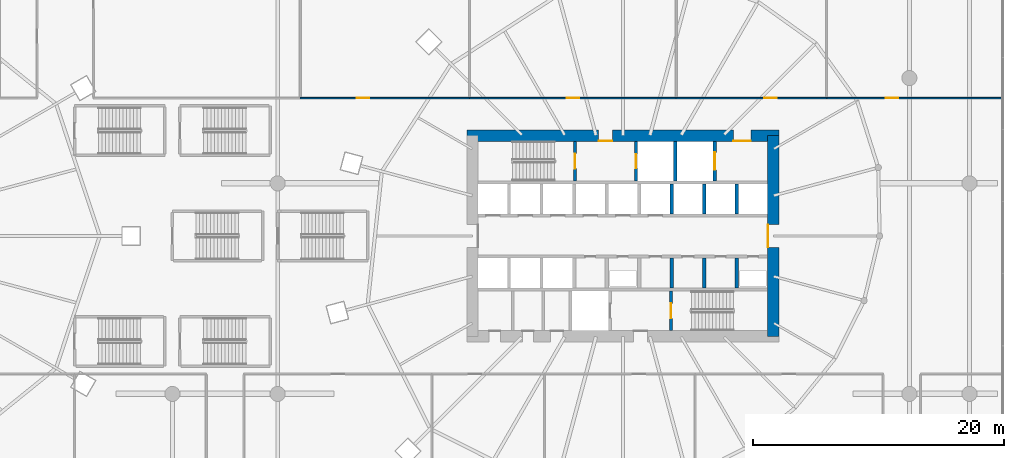
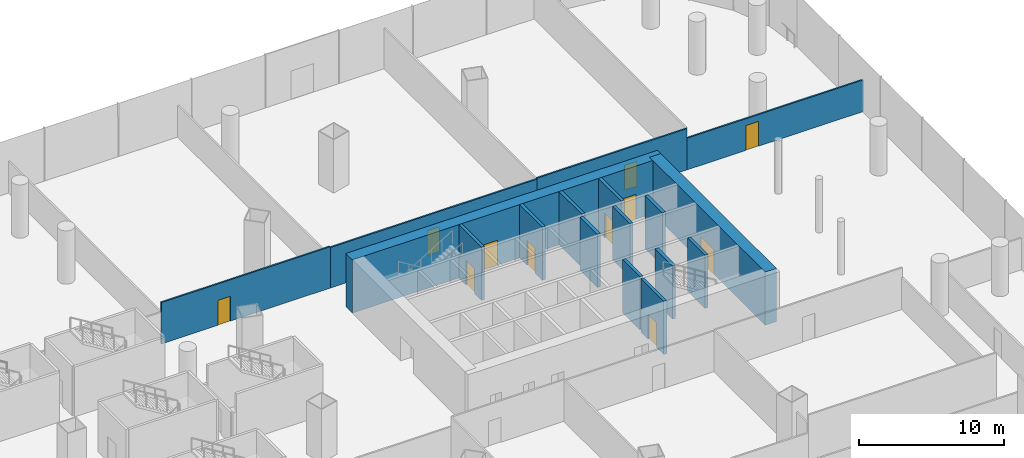
# One storey, part 33 of 43: 17 walls, 11 doors, 11 openings.
"""IFC4 building model written with IfcOpenShell, lengths in metres."""

from ifc_helpers import new_model, si_unit, direction, frame, frame_2d, origin, place, context, subcontext, project, spatial, rectangle, extrude, material, layer, layer_set, type_object, element, fill, save


model = new_model("IFC4")

# Units and contexts
model_context = context("Model", 3, precision=1e-05, world=origin(), true_north=direction((0.0, 1.0)))
body_context = subcontext(model_context, "Body", "Model", "MODEL_VIEW")
ifc_project = project(units=[si_unit("LENGTHUNIT", "METRE"), si_unit("AREAUNIT", "SQUARE_METRE"), si_unit("VOLUMEUNIT", "CUBIC_METRE"), si_unit("PLANEANGLEUNIT", "RADIAN"), si_unit("MASSUNIT", "GRAM", prefix="KILO")], contexts=[model_context])

# Site, building, storey
site_placement = place(None, origin())
site = spatial("IfcSite", under=ifc_project, at=site_placement, CompositionType="ELEMENT")
building_placement = place(site_placement, origin())
building = spatial("IfcBuilding", under=site, at=building_placement, Name="Rimbun Link Towers", CompositionType="ELEMENT")
storey_placement = place(building_placement, frame((0.0, 0.0, 12.0)))
storey = spatial("IfcBuildingStorey", under=building, at=storey_placement, Name="L02", CompositionType="ELEMENT", Elevation=12.0)

# Wall, openings, doors
ifc_material_1 = material(Name="Concrete C60/75", Category="concrete")
ifc_layer_1 = layer(ifc_material_1, 0.89990234375)
ifc_layer_set_1 = layer_set([ifc_layer_1], Name="Core shear wall 900")
wall_type_1 = type_object("IfcWallType", Name="Core shear wall 900", PredefinedType="SHEAR", material=ifc_layer_set_1)
wall_1_placement = place(storey_placement, frame((19.300048828125, 8.0, 0.0), z_axis=(0.0, 0.0, 1.0), x_axis=(1.0, 0.0, 0.0)))
wall_1 = element("IfcWall", 1, at=wall_1_placement, inside=storey, type_object=wall_type_1, Name="L02 T2 core wall N", PredefinedType="SHEAR", context=body_context, shape_type="SweptSolid", body=[
    extrude(rectangle(XDim=24.89990234375, YDim=0.89990234375, at=frame_2d((12.449951171875, 0.0))), origin(), (0.0, 0.0, 1.0), 4.5),
])
opening_1_placement = place(wall_1_placement, frame((10.5, 0.0, 0.0)))
opening_1 = element("IfcOpeningElement", 2, at=opening_1_placement, cuts=wall_1, Name="Opening C2DCF01N", PredefinedType="OPENING", context=body_context, shape_type="SweptSolid", body=[
    extrude(rectangle(XDim=1.10009765625, YDim=2.10009765625, at=frame_2d((0.550048828125, 1.050048828125))), frame((0.0, 0.4599609375, 0.0), z_axis=(0.0, -1.0, 0.0), x_axis=(1.0, 0.0, 0.0)), (0.0, 0.0, 1.0), 0.919921875),
])
opening_2_placement = place(wall_1_placement, frame((21.25, 0.0, 0.0)))
opening_2 = element("IfcOpeningElement", 3, at=opening_2_placement, cuts=wall_1, Name="Opening C2DSL02N", PredefinedType="OPENING", context=body_context, shape_type="SweptSolid", body=[
    extrude(rectangle(XDim=1.39990234375, YDim=2.10009765625, at=frame_2d((0.699951171875, 1.050048828125))), frame((0.0, 0.4599609375, 0.0), z_axis=(0.0, -1.0, 0.0), x_axis=(1.0, 0.0, 0.0)), (0.0, 0.0, 1.0), 0.919921875),
])
ifc_material_2 = material(Name="Steel fire door set", Category="steel")
door_type_1 = type_object("IfcDoorType", Name="Core fire door single", OperationType="SINGLE_SWING_LEFT", PredefinedType="DOOR", material=ifc_material_2)
door_1_placement = place(opening_1_placement, origin())
door_1 = element("IfcDoor", 4, at=door_1_placement, inside=storey, type_object=door_type_1, Name="L02 T2 firefighting lobby n door", OperationType="SINGLE_SWING_RIGHT", OverallHeight=2.10009765625, OverallWidth=1.10009765625, PredefinedType="DOOR", context=body_context, shape_type="SweptSolid", body=[
    extrude(rectangle(XDim=1.10009765625, YDim=2.10009765625, at=frame_2d((0.550048828125, 1.050048828125))), frame((0.0, -0.39990234375, 0.0), z_axis=(0.0, -1.0, 0.0), x_axis=(1.0, 0.0, 0.0)), (0.0, 0.0, 1.0), 0.050048828125),
])
fill(opening_1, door_1)
ifc_material_3 = material(Name="Steel fire door set", Category="steel")
door_type_2 = type_object("IfcDoorType", Name="Service lobby door double", OperationType="DOUBLE_DOOR_SINGLE_SWING", PredefinedType="DOOR", material=ifc_material_3)
door_2_placement = place(opening_2_placement, origin())
door_2 = element("IfcDoor", 5, at=door_2_placement, inside=storey, type_object=door_type_2, Name="L02 T2 service lobby door", OperationType="DOUBLE_DOOR_SINGLE_SWING", OverallHeight=2.10009765625, OverallWidth=1.39990234375, PredefinedType="DOOR", context=body_context, shape_type="SweptSolid", body=[
    extrude(rectangle(XDim=1.39990234375, YDim=2.10009765625, at=frame_2d((0.699951171875, 1.050048828125))), frame((0.0, -0.39990234375, 0.0), z_axis=(0.0, -1.0, 0.0), x_axis=(1.0, 0.0, 0.0)), (0.0, 0.0, 1.0), 0.050048828125),
])
fill(opening_2, door_2)

# Wall, opening, door
wall_2_placement = place(storey_placement, frame((43.75, -8.0, 0.0), z_axis=(0.0, 0.0, 1.0), x_axis=(0.0, 1.0, 0.0)))
wall_2 = element("IfcWall", 6, at=wall_2_placement, inside=storey, type_object=wall_type_1, Name="L02 T2 core wall E", PredefinedType="SHEAR", context=body_context, shape_type="SweptSolid", body=[
    extrude(rectangle(XDim=16.0, YDim=0.89990234375, at=frame_2d((8.0, 0.0))), origin(), (0.0, 0.0, 1.0), 4.5),
])
opening_3_placement = place(wall_2_placement, frame((7.10009765625, 0.0, 0.0)))
opening_3 = element("IfcOpeningElement", 7, at=opening_3_placement, cuts=wall_2, Name="Opening C2DCL01E", PredefinedType="OPENING", context=body_context, shape_type="SweptSolid", body=[
    extrude(rectangle(XDim=1.800048828125, YDim=2.10009765625, at=frame_2d((0.89990234375, 1.050048828125))), frame((0.0, 0.4599609375, 0.0), z_axis=(0.0, -1.0, 0.0), x_axis=(1.0, 0.0, 0.0)), (0.0, 0.0, 1.0), 0.919921875),
])
ifc_material_4 = material(Name="Steel fire door set", Category="steel")
door_type_3 = type_object("IfcDoorType", Name="Core lobby door double", OperationType="DOUBLE_DOOR_SINGLE_SWING", PredefinedType="DOOR", material=ifc_material_4)
door_3_placement = place(opening_3_placement, origin())
door_3 = element("IfcDoor", 8, at=door_3_placement, inside=storey, type_object=door_type_3, Name="L02 T2 lift lobby door", OperationType="DOUBLE_DOOR_SINGLE_SWING", OverallHeight=2.10009765625, OverallWidth=1.800048828125, PredefinedType="DOOR", context=body_context, shape_type="SweptSolid", body=[
    extrude(rectangle(XDim=1.800048828125, YDim=2.10009765625, at=frame_2d((0.89990234375, 1.050048828125))), frame((0.0, 0.4501953125, 0.0), z_axis=(0.0, -1.0, 0.0), x_axis=(1.0, 0.0, 0.0)), (0.0, 0.0, 1.0), 0.050048828125),
])
fill(opening_3, door_3)

ifc_material_5 = material(Name="Gypsum board on steel studs", Category="steel")
ifc_layer_2 = layer(ifc_material_5, 0.125)
ifc_layer_set_2 = layer_set([ifc_layer_2], Name="Partition 125 board on studs")
wall_type_2 = type_object("IfcWallType", Name="Partition 125 board on studs", PredefinedType="PARTITIONING", material=ifc_layer_set_2)
wall_3_placement = place(storey_placement, frame((19.5, 11.0, 0.0), z_axis=(0.0, 0.0, 1.0), x_axis=(-1.0, 0.0, 0.0)))
wall_3 = element("IfcWall", 9, at=wall_3_placement, inside=storey, type_object=wall_type_2, Name="PD/PW/L02/042", PredefinedType="PARTITIONING", context=body_context, shape_type="SweptSolid", body=[
    extrude(rectangle(XDim=13.5, YDim=0.125, at=frame_2d((6.75, 0.0))), origin(), (0.0, 0.0, 1.0), 3.49609375),
])
opening_4_placement = place(wall_3_placement, frame((7.989990234375, 0.0, 0.0)))
opening_4 = element("IfcOpeningElement", 10, at=opening_4_placement, cuts=wall_3, Name="Opening PD D02.30", PredefinedType="OPENING", context=body_context, shape_type="SweptSolid", body=[
    extrude(rectangle(XDim=1.0, YDim=2.10009765625, at=frame_2d((0.5, 1.050048828125))), frame((0.0, 0.072509765625, 0.0), z_axis=(0.0, -1.0, 0.0), x_axis=(1.0, 0.0, 0.0)), (0.0, 0.0, 1.0), 0.14501953125),
])
ifc_material_6 = material(Name="Timber door set", Category="wood")
door_type_4 = type_object("IfcDoorType", Name="Door single leaf 1000 x 2100", OperationType="NOTDEFINED", PredefinedType="DOOR", material=ifc_material_6)
door_4_placement = place(opening_4_placement, origin())
door_4 = element("IfcDoor", 11, at=door_4_placement, inside=storey, type_object=door_type_4, Name="PD/DR/L02/030", OperationType="SINGLE_SWING_LEFT", OverallHeight=2.10009765625, OverallWidth=1.0, PredefinedType="DOOR", context=body_context, shape_type="SweptSolid", body=[
    extrude(rectangle(XDim=1.0, YDim=2.10009765625, at=frame_2d((0.5, 1.050048828125))), frame((0.0, 0.02490234375, 0.0), z_axis=(0.0, -1.0, 0.0), x_axis=(1.0, 0.0, 0.0)), (0.0, 0.0, 1.0), 0.050048828125),
])
fill(opening_4, door_4)

wall_4_placement = place(storey_placement, frame((36.0, 11.0, 0.0), z_axis=(0.0, 0.0, 1.0), x_axis=(-1.0, 0.0, 0.0)))
wall_4 = element("IfcWall", 12, at=wall_4_placement, inside=storey, type_object=wall_type_2, Name="PD/PW/L02/043", PredefinedType="PARTITIONING", context=body_context, shape_type="SweptSolid", body=[
    extrude(rectangle(XDim=16.5, YDim=0.125, at=frame_2d((8.25, 0.0))), origin(), (0.0, 0.0, 1.0), 3.41796875),
])
opening_5_placement = place(wall_4_placement, frame((7.75, 0.0, 0.0)))
opening_5 = element("IfcOpeningElement", 13, at=opening_5_placement, cuts=wall_4, Name="Opening PD D02.31", PredefinedType="OPENING", context=body_context, shape_type="SweptSolid", body=[
    extrude(rectangle(XDim=1.0, YDim=2.10009765625, at=frame_2d((0.5, 1.050048828125))), frame((0.0, 0.072509765625, 0.0), z_axis=(0.0, -1.0, 0.0), x_axis=(1.0, 0.0, 0.0)), (0.0, 0.0, 1.0), 0.14501953125),
])
door_5_placement = place(opening_5_placement, origin())
door_5 = element("IfcDoor", 14, at=door_5_placement, inside=storey, type_object=door_type_4, Name="PD/DR/L02/031", OperationType="SINGLE_SWING_RIGHT", OverallHeight=2.10009765625, OverallWidth=1.0, PredefinedType="DOOR", context=body_context, shape_type="SweptSolid", body=[
    extrude(rectangle(XDim=1.0, YDim=2.10009765625, at=frame_2d((0.5, 1.050048828125))), frame((0.0, 0.02490234375, 0.0), z_axis=(0.0, -1.0, 0.0), x_axis=(1.0, 0.0, 0.0)), (0.0, 0.0, 1.0), 0.050048828125),
])
fill(opening_5, door_5)

wall_5_placement = place(storey_placement, frame((48.0, 11.0, 0.0), z_axis=(0.0, 0.0, 1.0), x_axis=(-1.0, 0.0, 0.0)))
wall_5 = element("IfcWall", 15, at=wall_5_placement, inside=storey, type_object=wall_type_2, Name="PD/PW/L02/044", PredefinedType="PARTITIONING", context=body_context, shape_type="SweptSolid", body=[
    extrude(rectangle(XDim=12.0, YDim=0.125, at=frame_2d((6.0, 0.0))), origin(), (0.0, 0.0, 1.0), 3.49609375),
])
opening_6_placement = place(wall_5_placement, frame((3.985107421875, 0.0, 0.0)))
opening_6 = element("IfcOpeningElement", 16, at=opening_6_placement, cuts=wall_5, Name="Opening PD D02.32", PredefinedType="OPENING", context=body_context, shape_type="SweptSolid", body=[
    extrude(rectangle(XDim=1.0, YDim=2.10009765625, at=frame_2d((0.5, 1.050048828125))), frame((0.0, 0.072509765625, 0.0), z_axis=(0.0, -1.0, 0.0), x_axis=(1.0, 0.0, 0.0)), (0.0, 0.0, 1.0), 0.14501953125),
])
door_6_placement = place(opening_6_placement, origin())
door_6 = element("IfcDoor", 17, at=door_6_placement, inside=storey, type_object=door_type_4, Name="PD/DR/L02/032", OperationType="SINGLE_SWING_LEFT", OverallHeight=2.10009765625, OverallWidth=1.0, PredefinedType="DOOR", context=body_context, shape_type="SweptSolid", body=[
    extrude(rectangle(XDim=1.0, YDim=2.10009765625, at=frame_2d((0.5, 1.050048828125))), frame((0.0, 0.02490234375, 0.0), z_axis=(0.0, -1.0, 0.0), x_axis=(1.0, 0.0, 0.0)), (0.0, 0.0, 1.0), 0.050048828125),
])
fill(opening_6, door_6)

wall_6_placement = place(storey_placement, frame((62.080078125, 11.0, 0.0), z_axis=(0.0, 0.0, 1.0), x_axis=(-1.0, 0.0, 0.0)))
wall_6 = element("IfcWall", 18, at=wall_6_placement, inside=storey, type_object=wall_type_2, Name="PD/PW/L02/045", PredefinedType="PARTITIONING", context=body_context, shape_type="SweptSolid", body=[
    extrude(rectangle(XDim=14.080078125, YDim=0.125, at=frame_2d((7.0400390625, 0.0))), origin(), (0.0, 0.0, 1.0), 2.679931640625),
])
opening_7_placement = place(wall_6_placement, frame((8.366943359375, 0.0, 0.0)))
opening_7 = element("IfcOpeningElement", 19, at=opening_7_placement, cuts=wall_6, Name="Opening PD D02.33", PredefinedType="OPENING", context=body_context, shape_type="SweptSolid", body=[
    extrude(rectangle(XDim=1.0, YDim=2.10009765625, at=frame_2d((0.5, 1.050048828125))), frame((0.0, 0.072509765625, 0.0), z_axis=(0.0, -1.0, 0.0), x_axis=(1.0, 0.0, 0.0)), (0.0, 0.0, 1.0), 0.14501953125),
])
door_7_placement = place(opening_7_placement, origin())
door_7 = element("IfcDoor", 20, at=door_7_placement, inside=storey, type_object=door_type_4, Name="PD/DR/L02/033", OperationType="SINGLE_SWING_RIGHT", OverallHeight=2.10009765625, OverallWidth=1.0, PredefinedType="DOOR", context=body_context, shape_type="SweptSolid", body=[
    extrude(rectangle(XDim=1.0, YDim=2.10009765625, at=frame_2d((0.5, 1.050048828125))), frame((0.0, 0.02490234375, 0.0), z_axis=(0.0, -1.0, 0.0), x_axis=(1.0, 0.0, 0.0)), (0.0, 0.0, 1.0), 0.050048828125),
])
fill(opening_7, door_7)

# Walls
ifc_material_7 = material(Name="Concrete C60/75", Category="concrete")
ifc_layer_3 = layer(ifc_material_7, 0.25)
ifc_layer_set_3 = layer_set([ifc_layer_3], Name="Shaft wall 250")
wall_type_3 = type_object("IfcWallType", Name="Shaft wall 250", PredefinedType="SHEAR", material=ifc_layer_set_3)
for number, where, z_axis, x_axis, name in (
    (21, (35.6416015625, 1.75, 0.0), (0.0, 0.0, 1.0), (0.0, 1.0, 0.0), "L02 T2 core wall DN5"),
    (22, (38.236083984375, 1.75, 0.0), (0.0, 0.0, 1.0), (0.0, 1.0, 0.0), "L02 T2 core wall DN6"),
    (23, (40.83056640625, 1.75, 0.0), (0.0, 0.0, 1.0), (0.0, 1.0, 0.0), "L02 T2 core wall DN7"),
    (24, (35.6416015625, -4.14990234375, 0.0), (0.0, 0.0, 1.0), (0.0, 1.0, 0.0), "L02 T2 core wall DS5"),
    (25, (38.236083984375, -4.14990234375, 0.0), (0.0, 0.0, 1.0), (0.0, 1.0, 0.0), "L02 T2 core wall DS6"),
    (26, (40.83056640625, -4.14990234375, 0.0), (0.0, 0.0, 1.0), (0.0, 1.0, 0.0), "L02 T2 core wall DS7"),
):
    element("IfcWall", number, at=place(storey_placement, frame(where, z_axis=z_axis, x_axis=x_axis)), inside=storey, type_object=wall_type_3, Name=name, PredefinedType="SHEAR", context=body_context, shape_type="SweptSolid", body=[
        extrude(rectangle(XDim=2.39990234375, YDim=0.25, at=frame_2d((1.199951171875, 0.0))), origin(), (0.0, 0.0, 1.0), 4.5),
    ])

# Wall, opening, door
wall_7_placement = place(storey_placement, frame((27.925048828125, 4.39990234375, 0.0), z_axis=(0.0, 0.0, 1.0), x_axis=(0.0, 1.0, 0.0)))
wall_7 = element("IfcWall", 27, at=wall_7_placement, inside=storey, type_object=wall_type_3, Name="L02 T2 core wall A1", PredefinedType="SHEAR", context=body_context, shape_type="SweptSolid", body=[
    extrude(rectangle(XDim=3.150146484375, YDim=0.25, at=frame_2d((1.5751953125, 0.0))), origin(), (0.0, 0.0, 1.0), 4.5),
])
opening_8_placement = place(wall_7_placement, frame((0.97509765625, 0.0, 0.0)))
opening_8 = element("IfcOpeningElement", 28, at=opening_8_placement, cuts=wall_7, Name="Opening C2DST01A1", PredefinedType="OPENING", context=body_context, shape_type="SweptSolid", body=[
    extrude(rectangle(XDim=1.199951171875, YDim=2.10009765625, at=frame_2d((0.60009765625, 1.050048828125))), frame((0.0, 0.135009765625, 0.0), z_axis=(0.0, -1.0, 0.0), x_axis=(1.0, 0.0, 0.0)), (0.0, 0.0, 1.0), 0.27001953125),
])
ifc_material_8 = material(Name="Steel fire door set", Category="steel")
door_type_5 = type_object("IfcDoorType", Name="Stair door", OperationType="SINGLE_SWING_LEFT", PredefinedType="DOOR", material=ifc_material_8)
door_8_placement = place(opening_8_placement, origin())
door_8 = element("IfcDoor", 29, at=door_8_placement, inside=storey, type_object=door_type_5, Name="L02 T2 stair a door", OperationType="SINGLE_SWING_LEFT", OverallHeight=2.10009765625, OverallWidth=1.199951171875, PredefinedType="DOOR", context=body_context, shape_type="SweptSolid", body=[
    extrude(rectangle(XDim=1.199951171875, YDim=2.10009765625, at=frame_2d((0.60009765625, 1.050048828125))), frame((0.0, 0.02490234375, 0.0), z_axis=(0.0, -1.0, 0.0), x_axis=(1.0, 0.0, 0.0)), (0.0, 0.0, 1.0), 0.050048828125),
])
fill(opening_8, door_8)

wall_8_placement = place(storey_placement, frame((32.77490234375, 4.39990234375, 0.0), z_axis=(0.0, 0.0, 1.0), x_axis=(0.0, 1.0, 0.0)))
wall_8 = element("IfcWall", 30, at=wall_8_placement, inside=storey, type_object=wall_type_3, Name="L02 T2 core wall A2", PredefinedType="SHEAR", context=body_context, shape_type="SweptSolid", body=[
    extrude(rectangle(XDim=3.150146484375, YDim=0.25, at=frame_2d((1.5751953125, 0.0))), origin(), (0.0, 0.0, 1.0), 4.5),
])
opening_9_placement = place(wall_8_placement, frame((1.02490234375, 0.0, 0.0)))
opening_9 = element("IfcOpeningElement", 31, at=opening_9_placement, cuts=wall_8, Name="Opening LD-T2-FF1", PredefinedType="OPENING", context=body_context, shape_type="SweptSolid", body=[
    extrude(rectangle(XDim=1.10009765625, YDim=2.10009765625, at=frame_2d((0.550048828125, 1.050048828125))), frame((0.0, 0.135009765625, 0.0), z_axis=(0.0, -1.0, 0.0), x_axis=(1.0, 0.0, 0.0)), (0.0, 0.0, 1.0), 0.27001953125),
])
ifc_material_9 = material(Name="Stainless steel grade 316", Category="steel")
door_type_6 = type_object("IfcDoorType", Name="Lift landing door", OperationType="DOUBLE_DOOR_SLIDING", PredefinedType="DOOR", material=ifc_material_9)
door_9_placement = place(opening_9_placement, origin())
door_9 = element("IfcDoor", 32, at=door_9_placement, inside=storey, type_object=door_type_6, Name="L02 T2 lift FF1 landing door", OperationType="DOUBLE_DOOR_SLIDING", OverallHeight=2.10009765625, OverallWidth=1.10009765625, PredefinedType="DOOR", context=body_context, shape_type="SweptSolid", body=[
    extrude(rectangle(XDim=1.10009765625, YDim=2.10009765625, at=frame_2d((0.550048828125, 1.050048828125))), frame((0.0, 0.02490234375, 0.0), z_axis=(0.0, -1.0, 0.0), x_axis=(1.0, 0.0, 0.0)), (0.0, 0.0, 1.0), 0.050048828125),
])
fill(opening_9, door_9)

# Wall
wall_9_placement = place(storey_placement, frame((35.925048828125, 4.39990234375, 0.0), z_axis=(0.0, 0.0, 1.0), x_axis=(0.0, 1.0, 0.0)))
element("IfcWall", 33, at=wall_9_placement, inside=storey, type_object=wall_type_3, Name="L02 T2 core wall A3", PredefinedType="SHEAR", context=body_context, shape_type="SweptSolid", body=[
    extrude(rectangle(XDim=3.150146484375, YDim=0.25, at=frame_2d((1.5751953125, 0.0))), origin(), (0.0, 0.0, 1.0), 4.5),
])

# Wall, opening, door
wall_10_placement = place(storey_placement, frame((39.074951171875, 4.39990234375, 0.0), z_axis=(0.0, 0.0, 1.0), x_axis=(0.0, 1.0, 0.0)))
wall_10 = element("IfcWall", 34, at=wall_10_placement, inside=storey, type_object=wall_type_3, Name="L02 T2 core wall A4", PredefinedType="SHEAR", context=body_context, shape_type="SweptSolid", body=[
    extrude(rectangle(XDim=3.150146484375, YDim=0.25, at=frame_2d((1.5751953125, 0.0))), origin(), (0.0, 0.0, 1.0), 4.5),
])
opening_10_placement = place(wall_10_placement, frame((0.875, 0.0, 0.0)))
opening_10 = element("IfcOpeningElement", 35, at=opening_10_placement, cuts=wall_10, Name="Opening LD-T2-GL1", PredefinedType="OPENING", context=body_context, shape_type="SweptSolid", body=[
    extrude(rectangle(XDim=1.39990234375, YDim=2.10009765625, at=frame_2d((0.699951171875, 1.050048828125))), frame((0.0, 0.135009765625, 0.0), z_axis=(0.0, -1.0, 0.0), x_axis=(1.0, 0.0, 0.0)), (0.0, 0.0, 1.0), 0.27001953125),
])
ifc_material_10 = material(Name="Stainless steel grade 316", Category="steel")
door_type_7 = type_object("IfcDoorType", Name="Goods lift landing door", OperationType="DOUBLE_DOOR_SLIDING", PredefinedType="DOOR", material=ifc_material_10)
door_10_placement = place(opening_10_placement, origin())
door_10 = element("IfcDoor", 36, at=door_10_placement, inside=storey, type_object=door_type_7, Name="L02 T2 lift GL1 landing door", OperationType="DOUBLE_DOOR_SLIDING", OverallHeight=2.10009765625, OverallWidth=1.39990234375, PredefinedType="DOOR", context=body_context, shape_type="SweptSolid", body=[
    extrude(rectangle(XDim=1.39990234375, YDim=2.10009765625, at=frame_2d((0.699951171875, 1.050048828125))), frame((0.0, 0.02490234375, 0.0), z_axis=(0.0, -1.0, 0.0), x_axis=(1.0, 0.0, 0.0)), (0.0, 0.0, 1.0), 0.050048828125),
])
fill(opening_10, door_10)

wall_11_placement = place(storey_placement, frame((35.574951171875, -4.39990234375, 0.0), z_axis=(0.0, 0.0, 1.0), x_axis=(0.0, -1.0, 0.0)))
wall_11 = element("IfcWall", 37, at=wall_11_placement, inside=storey, type_object=wall_type_3, Name="L02 T2 core wall B1", PredefinedType="SHEAR", context=body_context, shape_type="SweptSolid", body=[
    extrude(rectangle(XDim=3.150146484375, YDim=0.25, at=frame_2d((1.5751953125, 0.0))), origin(), (0.0, 0.0, 1.0), 4.5),
])
opening_11_placement = place(wall_11_placement, frame((0.97509765625, 0.0, 0.0)))
opening_11 = element("IfcOpeningElement", 38, at=opening_11_placement, cuts=wall_11, Name="Opening C2DST01B1", PredefinedType="OPENING", context=body_context, shape_type="SweptSolid", body=[
    extrude(rectangle(XDim=1.199951171875, YDim=2.10009765625, at=frame_2d((0.60009765625, 1.050048828125))), frame((0.0, 0.135009765625, 0.0), z_axis=(0.0, -1.0, 0.0), x_axis=(1.0, 0.0, 0.0)), (0.0, 0.0, 1.0), 0.27001953125),
])
door_11_placement = place(opening_11_placement, origin())
door_11 = element("IfcDoor", 39, at=door_11_placement, inside=storey, type_object=door_type_5, Name="L02 T2 stair b door", OperationType="SINGLE_SWING_RIGHT", OverallHeight=2.10009765625, OverallWidth=1.199951171875, PredefinedType="DOOR", context=body_context, shape_type="SweptSolid", body=[
    extrude(rectangle(XDim=1.199951171875, YDim=2.10009765625, at=frame_2d((0.60009765625, 1.050048828125))), frame((0.0, 0.02490234375, 0.0), z_axis=(0.0, -1.0, 0.0), x_axis=(1.0, 0.0, 0.0)), (0.0, 0.0, 1.0), 0.050048828125),
])
fill(opening_11, door_11)

save(model, "model.ifc")
